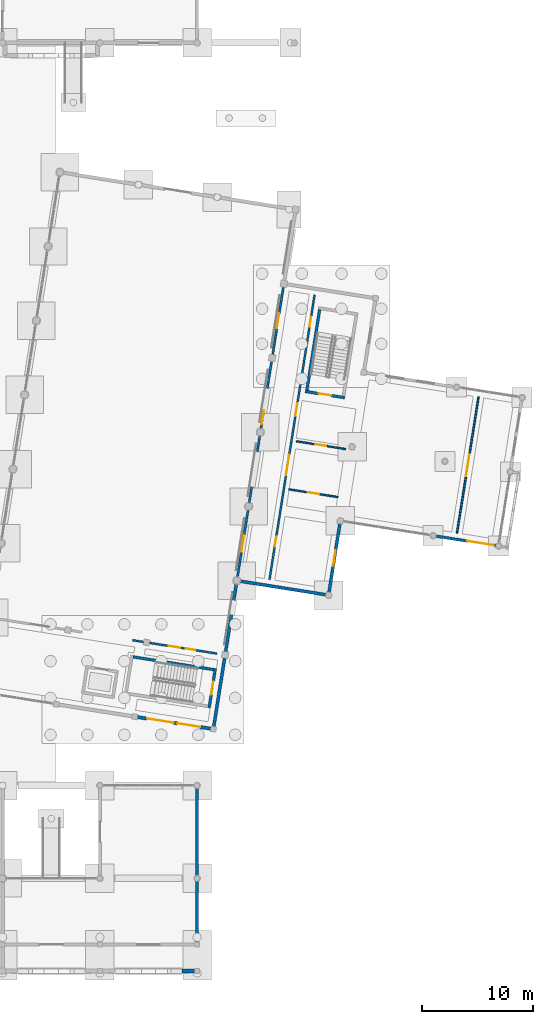
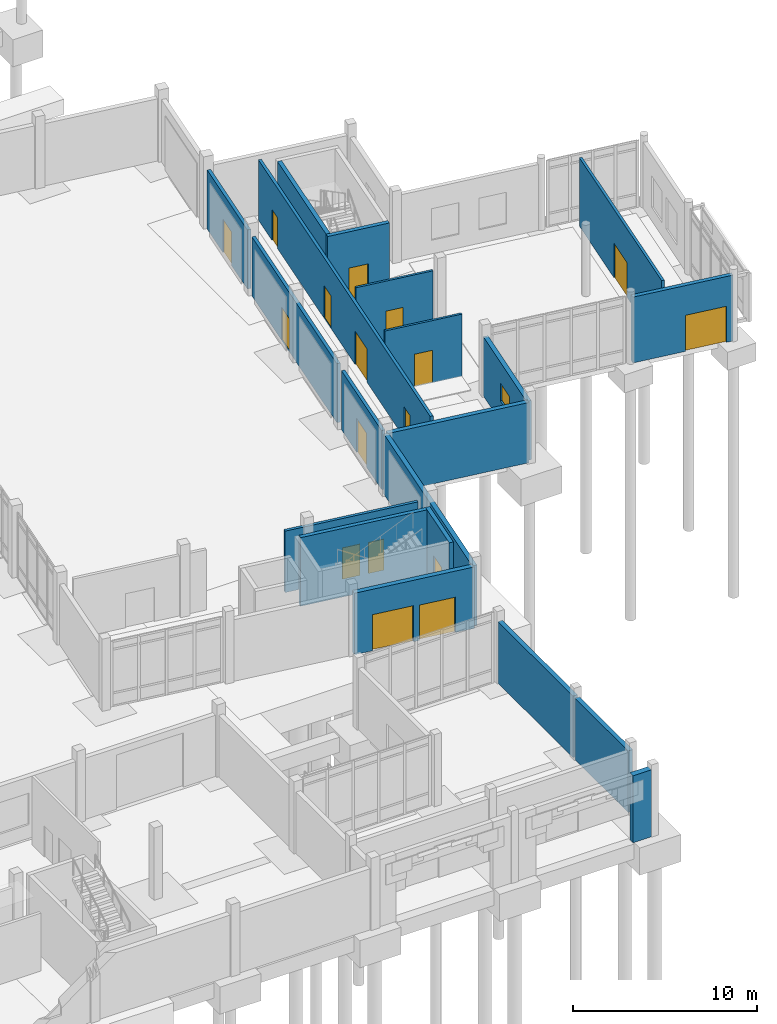
# One storey, part 50 of 72: 20 walls, 17 doors, 1 window, 18 openings.
"""IFC4 building model written with IfcOpenShell, lengths in metres."""

from ifc_helpers import new_model, si_unit, direction, frame, frame_2d, origin, place, context, subcontext, project, spatial, rectangle, extrude, material, layer, layer_set, type_object, element, fill, save


model = new_model("IFC4")

# Units and contexts
model_context = context("Model", 3, precision=1e-05, world=origin(), true_north=direction((0.0, 1.0)))
body_context = subcontext(model_context, "Body", "Model", "MODEL_VIEW")
ifc_project = project(units=[si_unit("LENGTHUNIT", "METRE"), si_unit("AREAUNIT", "SQUARE_METRE"), si_unit("VOLUMEUNIT", "CUBIC_METRE"), si_unit("PLANEANGLEUNIT", "RADIAN"), si_unit("MASSUNIT", "GRAM", prefix="KILO")], contexts=[model_context])

# Site, building, storey
site_placement = place(None, origin())
site = spatial("IfcSite", under=ifc_project, at=site_placement, CompositionType="ELEMENT")
building_placement = place(site_placement, origin())
building = spatial("IfcBuilding", under=site, at=building_placement, Name="Cinderway Yard Community Centre", CompositionType="ELEMENT")
storey_placement = place(building_placement, origin())
storey = spatial("IfcBuildingStorey", under=building, at=storey_placement, Name="L00", CompositionType="ELEMENT", Elevation=0.0)

# Wall
ifc_material_1 = material(Name="Brick Masonry", Category="masonry")
ifc_layer_1 = layer(ifc_material_1, 0.360107421875, Name="Brick Masonry")
ifc_layer_set_1 = layer_set([ifc_layer_1], Name="Brick Masonry")
wall_type_1 = type_object("IfcWallType", Name="ENV-WAL-ARCH360", PredefinedType="SOLIDWALL", material=ifc_layer_set_1)
wall_1_placement = place(storey_placement, frame((135.449951171875, 6.0, 0.0), z_axis=(0.0, 0.0, 1.0), x_axis=(1.0, 0.0, 0.0)))
element("IfcWall", 1, at=wall_1_placement, inside=storey, type_object=wall_type_1, Name="East Storm Arcade East Niche Pier 3B ENV-WAL-L00-0204", PredefinedType="SOLIDWALL", context=body_context, shape_type="SweptSolid", body=[
    extrude(rectangle(XDim=1.170166015625, YDim=0.360107421875, at=frame_2d((0.5849609375, 0.0))), origin(), (0.0, 0.0, 1.0), 4.449951171875),
])

# Wall, opening, door
ifc_layer_2 = layer(ifc_material_1, 0.25, Name="Brick Masonry")
ifc_layer_set_2 = layer_set([ifc_layer_2], Name="Brick Masonry")
wall_type_2 = type_object("IfcWallType", Name="ENV-WAL-EXT250", PredefinedType="SOLIDWALL", material=ifc_layer_set_2)
wall_2_placement = place(storey_placement, frame((158.23291015625, 45.39697265625, 0.0), z_axis=(0.0, 0.0, 1.0), x_axis=(0.987701196417, -0.156353274977, 0.0)))
wall_2 = element("IfcWall", 2, at=wall_2_placement, inside=storey, type_object=wall_type_2, Name="East Entrance Brick Wall ENV-WAL-L00-0089", PredefinedType="SOLIDWALL", context=body_context, shape_type="SweptSolid", body=[
    extrude(rectangle(XDim=5.83984375, YDim=0.25, at=frame_2d((2.919921875, 0.0))), origin(), (0.0, 0.0, 1.0), 4.375),
])
opening_1_placement = place(wall_2_placement, frame((3.070068359375, 0.0, 0.0)))
opening_1 = element("IfcOpeningElement", 3, at=opening_1_placement, cuts=wall_2, Name="Opening D-EX1", PredefinedType="OPENING", context=body_context, shape_type="SweptSolid", body=[
    extrude(rectangle(XDim=2.39990234375, YDim=2.39990234375, at=frame_2d((1.199951171875, 1.199951171875))), frame((0.0, 0.135009765625, 0.0), z_axis=(0.0, -1.0, 0.0), x_axis=(1.0, 0.0, 0.0)), (0.0, 0.0, 1.0), 0.27001953125),
])
ifc_material_2 = material(Name="Aluminium 6063-T6", Category="aluminium")
door_type_1 = type_object("IfcDoorType", Name="INT-DOR-EXT240", OperationType="DOUBLE_DOOR_SINGLE_SWING", PredefinedType="DOOR", material=ifc_material_2)
door_1_placement = place(opening_1_placement, origin())
door_1 = element("IfcDoor", 4, at=door_1_placement, inside=storey, type_object=door_type_1, Name="Athletics East Entrance EXT-DOR-L00-0071", OperationType="DOUBLE_DOOR_SINGLE_SWING", OverallHeight=2.39990234375, OverallWidth=2.39990234375, PredefinedType="DOOR", context=body_context, shape_type="SweptSolid", body=[
    extrude(rectangle(XDim=2.39990234375, YDim=2.39990234375, at=frame_2d((1.199951171875, 1.199951171875))), frame((0.0, 0.02490234375, 0.0), z_axis=(0.0, -1.0, 0.0), x_axis=(1.0, 0.0, 0.0)), (0.0, 0.0, 1.0), 0.050048828125),
])
fill(opening_1, door_1)

# Wall, opening, window
ifc_material_3 = material(Name="Concrete C35/45", Category="concrete")
ifc_layer_3 = layer(ifc_material_3, 0.280029296875, Name="Concrete C35/45")
ifc_layer_set_3 = layer_set([ifc_layer_3], Name="Concrete C35/45")
wall_type_3 = type_object("IfcWallType", Name="ENV-WAL-EXT280", PredefinedType="SOLIDWALL", material=ifc_layer_set_3)
wall_3_placement = place(storey_placement, frame((148.7099609375, 40.1220703125, 0.0), z_axis=(0.0, 0.0, 1.0), x_axis=(0.156500089252, 0.987677944506, 0.0)))
wall_3 = element("IfcWall", 5, at=wall_3_placement, inside=storey, type_object=wall_type_3, Name="Athletics East Brick Wall ENV-WAL-L00-0058", PredefinedType="SOLIDWALL", context=body_context, shape_type="SweptSolid", body=[
    extrude(rectangle(XDim=6.600341796875, YDim=0.280029296875, at=frame_2d((3.30029296875, 0.0))), origin(), (0.0, 0.0, 1.0), 3.927978515625),
])
opening_2_placement = place(wall_3_placement, frame((2.60009765625, 0.0, 1.35009765625)))
opening_2 = element("IfcOpeningElement", 6, at=opening_2_placement, cuts=wall_3, Name="Opening W-20", PredefinedType="OPENING", context=body_context, shape_type="SweptSolid", body=[
    extrude(rectangle(XDim=1.39990234375, YDim=1.199951171875, at=frame_2d((0.699951171875, 0.60009765625))), frame((0.0, 0.14990234375, 0.0), z_axis=(0.0, -1.0, 0.0), x_axis=(1.0, 0.0, 0.0)), (0.0, 0.0, 1.0), 0.300048828125),
])
ifc_material_4 = material(Name="Laminated Low-E Glass", Category="glass")
window_type = type_object("IfcWindowType", Name="ENV-WIN-W20", PartitioningType="DOUBLE_PANEL_VERTICAL", PredefinedType="WINDOW", material=ifc_material_4)
window_placement = place(opening_2_placement, origin())
window = element("IfcWindow", 7, at=window_placement, inside=storey, type_object=window_type, Name="Exterior window ENV-WIN-L00-0041", OverallHeight=1.199951171875, OverallWidth=1.39990234375, PartitioningType="SINGLE_PANEL", PredefinedType="WINDOW", context=body_context, shape_type="SweptSolid", body=[
    extrude(rectangle(XDim=1.39990234375, YDim=1.199951171875, at=frame_2d((0.699951171875, 0.60009765625))), frame((0.0, 0.030029296875, 0.0), z_axis=(0.0, -1.0, 0.0), x_axis=(1.0, 0.0, 0.0)), (0.0, 0.0, 1.0), 0.06005859375),
])
fill(opening_2, window)

# Walls
wall_4_placement = place(storey_placement, frame((138.282958984375, 27.98388671875, 0.0), z_axis=(0.0, 0.0, 1.0), x_axis=(0.156407521508, 0.987692607655, 0.0)))
element("IfcWall", 8, at=wall_4_placement, inside=storey, type_object=wall_type_3, Name="Sports Return Wall ENV-WAL-L00-0061", PredefinedType="SOLIDWALL", context=body_context, shape_type="SweptSolid", body=[
    extrude(rectangle(XDim=13.439697265625, YDim=0.280029296875, at=frame_2d((6.7197265625, 0.0))), origin(), (0.0, 0.0, 1.0), 4.006103515625),
])
wall_5_placement = place(storey_placement, frame((140.47705078125, 41.323974609375, 0.0), z_axis=(0.0, 0.0, 1.0), x_axis=(0.98770403257, -0.156335357629, 0.0)))
element("IfcWall", 9, at=wall_5_placement, inside=storey, type_object=wall_type_3, Name="Sports Return Wall ENV-WAL-L00-0062", PredefinedType="SOLIDWALL", context=body_context, shape_type="SweptSolid", body=[
    extrude(rectangle(XDim=8.2392578125, YDim=0.280029296875, at=frame_2d((4.11962890625, 0.0))), origin(), (0.0, 0.0, 1.0), 4.006103515625),
])
wall_6_placement = place(storey_placement, frame((136.800048828125, 8.449951171875, 0.0), z_axis=(0.0, 0.0, 1.0), x_axis=(0.0, 1.0, 0.0)))
element("IfcWall", 10, at=wall_6_placement, inside=storey, type_object=wall_type_3, Name="East Arcade Flank Wall ENV-WAL-L00-0234", PredefinedType="SOLIDWALL", context=body_context, shape_type="SweptSolid", body=[
    extrude(rectangle(XDim=5.800048828125, YDim=0.280029296875, at=frame_2d((2.89990234375, 0.0))), origin(), (0.0, 0.0, 1.0), 4.0849609375),
])
wall_7_placement = place(storey_placement, frame((136.800048828125, 14.449951171875, 0.0), z_axis=(0.0, 0.0, 1.0), x_axis=(0.0, 1.0, 0.0)))
element("IfcWall", 11, at=wall_7_placement, inside=storey, type_object=wall_type_3, Name="East Arcade Flank Wall ENV-WAL-L00-0235", PredefinedType="SOLIDWALL", context=body_context, shape_type="SweptSolid", body=[
    extrude(rectangle(XDim=8.199951171875, YDim=0.280029296875, at=frame_2d((4.10009765625, 0.0))), origin(), (0.0, 0.0, 1.0), 4.0849609375),
])

# Wall, openings, doors
ifc_layer_4 = layer(ifc_material_1, 0.300048828125, Name="Brick Masonry")
ifc_layer_set_4 = layer_set([ifc_layer_4], Name="Brick Masonry")
wall_type_4 = type_object("IfcWallType", Name="ENV-WAL-EXT300", PredefinedType="SOLIDWALL", material=ifc_layer_set_4)
wall_8_placement = place(storey_placement, frame((131.258056640625, 29.014892578125, 0.0), z_axis=(0.0, 0.0, 1.0), x_axis=(0.987690751091, -0.156419245009, 0.0)))
wall_8 = element("IfcWall", 12, at=wall_8_placement, inside=storey, type_object=wall_type_4, Name="Sports South Brick Wall ENV-WAL-L00-0054", PredefinedType="SOLIDWALL", context=body_context, shape_type="SweptSolid", body=[
    extrude(rectangle(XDim=7.000244140625, YDim=0.300048828125, at=frame_2d((3.5, 0.0))), origin(), (0.0, 0.0, 1.0), 4.0849609375),
])
opening_3_placement = place(wall_8_placement, frame((1.050048828125, 0.0, 0.0)))
opening_3 = element("IfcOpeningElement", 13, at=opening_3_placement, cuts=wall_8, Name="Opening D-EX1", PredefinedType="OPENING", context=body_context, shape_type="SweptSolid", body=[
    extrude(rectangle(XDim=2.39990234375, YDim=2.39990234375, at=frame_2d((1.199951171875, 1.199951171875))), frame((0.0, 0.159912109375, 0.0), z_axis=(0.0, -1.0, 0.0), x_axis=(1.0, 0.0, 0.0)), (0.0, 0.0, 1.0), 0.320068359375),
])
opening_4_placement = place(wall_8_placement, frame((3.800048828125, 0.0, 0.0)))
opening_4 = element("IfcOpeningElement", 14, at=opening_4_placement, cuts=wall_8, Name="Opening D-EX2", PredefinedType="OPENING", context=body_context, shape_type="SweptSolid", body=[
    extrude(rectangle(XDim=2.10009765625, YDim=2.35009765625, at=frame_2d((1.050048828125, 1.175048828125))), frame((0.0, 0.159912109375, 0.0), z_axis=(0.0, -1.0, 0.0), x_axis=(1.0, 0.0, 0.0)), (0.0, 0.0, 1.0), 0.320068359375),
])
door_type_2 = type_object("IfcDoorType", Name="INT-DOR-EXT210", OperationType="DOUBLE_DOOR_SINGLE_SWING", PredefinedType="DOOR", material=ifc_material_2)
door_2_placement = place(opening_4_placement, origin())
door_2 = element("IfcDoor", 15, at=door_2_placement, inside=storey, type_object=door_type_2, Name="Sports Core Exit EXT-DOR-L00-0069", OperationType="DOUBLE_DOOR_SINGLE_SWING", OverallHeight=2.35009765625, OverallWidth=2.10009765625, PredefinedType="DOOR", context=body_context, shape_type="SweptSolid", body=[
    extrude(rectangle(XDim=2.10009765625, YDim=2.35009765625, at=frame_2d((1.050048828125, 1.175048828125))), frame((0.0, 0.02490234375, 0.0), z_axis=(0.0, -1.0, 0.0), x_axis=(1.0, 0.0, 0.0)), (0.0, 0.0, 1.0), 0.050048828125),
])
fill(opening_4, door_2)
door_3_placement = place(opening_3_placement, origin())
door_3 = element("IfcDoor", 16, at=door_3_placement, inside=storey, type_object=door_type_1, Name="Sports South Lobby Exit EXT-DOR-L00-0068", OperationType="DOUBLE_DOOR_SINGLE_SWING", OverallHeight=2.39990234375, OverallWidth=2.39990234375, PredefinedType="DOOR", context=body_context, shape_type="SweptSolid", body=[
    extrude(rectangle(XDim=2.39990234375, YDim=2.39990234375, at=frame_2d((1.199951171875, 1.199951171875))), frame((0.0, 0.02490234375, 0.0), z_axis=(0.0, -1.0, 0.0), x_axis=(1.0, 0.0, 0.0)), (0.0, 0.0, 1.0), 0.050048828125),
])
fill(opening_3, door_3)

# Wall, opening, door
ifc_material_5 = material(Name="Gypsum Board Partition", Category="gypsum")
ifc_layer_5 = layer(ifc_material_5, 0.139892578125, Name="Gypsum Board Partition")
ifc_layer_set_5 = layer_set([ifc_layer_5], Name="Gypsum Board Partition")
wall_type_5 = type_object("IfcWallType", Name="INT-WAL-PRT140", PredefinedType="PARTITIONING", material=ifc_layer_set_5)
wall_9_placement = place(storey_placement, frame((145.09912109375, 49.60302734375, 0.0), z_axis=(0.0, 0.0, 1.0), x_axis=(0.987712756743, -0.156280229613, 0.0)))
wall_9 = element("IfcWall", 17, at=wall_9_placement, inside=storey, type_object=wall_type_5, Name="Athletics Room Divider INT-PRT-L00-0256", PredefinedType="PARTITIONING", context=body_context, shape_type="SweptSolid", body=[
    extrude(rectangle(XDim=4.4990234375, YDim=0.139892578125, at=frame_2d((2.24951171875, 0.0))), origin(), (0.0, 0.0, 1.0), 4.135009765625),
])
opening_5_placement = place(wall_9_placement, frame((1.719970703125, 0.0, 0.0)))
opening_5 = element("IfcOpeningElement", 18, at=opening_5_placement, cuts=wall_9, Name="Opening D-04", PredefinedType="OPENING", context=body_context, shape_type="SweptSolid", body=[
    extrude(rectangle(XDim=1.06005859375, YDim=2.159912109375, at=frame_2d((0.530029296875, 1.080078125))), frame((0.0, 0.079833984375, 0.0), z_axis=(0.0, -1.0, 0.0), x_axis=(1.0, 0.0, 0.0)), (0.0, 0.0, 1.0), 0.159912109375),
])
ifc_material_6 = material(Name="Hardwood Timber", Category="wood")
door_type_3 = type_object("IfcDoorType", Name="INT-DOR-CLS106", OperationType="NOTDEFINED", PredefinedType="DOOR", material=ifc_material_6)
door_4_placement = place(opening_5_placement, origin())
door_4 = element("IfcDoor", 19, at=door_4_placement, inside=storey, type_object=door_type_3, Name="Room door INT-DOR-L00-0116", OperationType="SINGLE_SWING_RIGHT", OverallHeight=2.159912109375, OverallWidth=1.06005859375, PredefinedType="DOOR", context=body_context, shape_type="SweptSolid", body=[
    extrude(rectangle(XDim=1.06005859375, YDim=2.159912109375, at=frame_2d((0.530029296875, 1.080078125))), frame((0.0, 0.02490234375, 0.0), z_axis=(0.0, -1.0, 0.0), x_axis=(1.0, 0.0, 0.0)), (0.0, 0.0, 1.0), 0.050048828125),
])
fill(opening_5, door_4)

wall_10_placement = place(storey_placement, frame((145.787109375, 53.948974609375, 0.0), z_axis=(0.0, 0.0, 1.0), x_axis=(0.98772113158, -0.156227290288, 0.0)))
wall_10 = element("IfcWall", 20, at=wall_10_placement, inside=storey, type_object=wall_type_5, Name="Athletics Room Divider INT-PRT-L00-0257", PredefinedType="PARTITIONING", context=body_context, shape_type="SweptSolid", body=[
    extrude(rectangle(XDim=4.4990234375, YDim=0.139892578125, at=frame_2d((2.24951171875, 0.0))), origin(), (0.0, 0.0, 1.0), 4.135009765625),
])
opening_6_placement = place(wall_10_placement, frame((1.75, 0.0, 0.0)))
opening_6 = element("IfcOpeningElement", 21, at=opening_6_placement, cuts=wall_10, Name="Opening D-05", PredefinedType="OPENING", context=body_context, shape_type="SweptSolid", body=[
    extrude(rectangle(XDim=1.0, YDim=2.139892578125, at=frame_2d((0.5, 1.06982421875))), frame((0.0, 0.079833984375, 0.0), z_axis=(0.0, -1.0, 0.0), x_axis=(1.0, 0.0, 0.0)), (0.0, 0.0, 1.0), 0.159912109375),
])
door_type_4 = type_object("IfcDoorType", Name="INT-DOR-CLS100", OperationType="NOTDEFINED", PredefinedType="DOOR", material=ifc_material_6)
door_5_placement = place(opening_6_placement, origin())
door_5 = element("IfcDoor", 22, at=door_5_placement, inside=storey, type_object=door_type_4, Name="Room door INT-DOR-L00-0117", OperationType="SINGLE_SWING_LEFT", OverallHeight=2.139892578125, OverallWidth=1.0, PredefinedType="DOOR", context=body_context, shape_type="SweptSolid", body=[
    extrude(rectangle(XDim=1.0, YDim=2.139892578125, at=frame_2d((0.5, 1.06982421875))), frame((0.0, 0.02490234375, 0.0), z_axis=(0.0, -1.0, 0.0), x_axis=(1.0, 0.0, 0.0)), (0.0, 0.0, 1.0), 0.050048828125),
])
fill(opening_6, door_5)

ifc_layer_6 = layer(ifc_material_5, 0.159912109375, Name="Gypsum Board Partition")
ifc_layer_set_6 = layer_set([ifc_layer_6], Name="Gypsum Board Partition")
wall_type_6 = type_object("IfcWallType", Name="INT-WAL-PRT160", PredefinedType="PARTITIONING", material=ifc_layer_set_6)
wall_11_placement = place(storey_placement, frame((160.31396484375, 45.625, 0.0), z_axis=(0.0, 0.0, 1.0), x_axis=(0.156420950688, 0.987690480963, 0.0)))
wall_11 = element("IfcWall", 23, at=wall_11_placement, inside=storey, type_object=wall_type_6, Name="Cycle Hub Partition INT-PRT-L00-0254", PredefinedType="PARTITIONING", context=body_context, shape_type="SweptSolid", body=[
    extrude(rectangle(XDim=12.498779296875, YDim=0.159912109375, at=frame_2d((6.24951171875, 0.0))), origin(), (0.0, 0.0, 1.0), 4.544921875),
])
opening_7_placement = place(wall_11_placement, frame((5.2490234375, 0.0, 0.0)))
opening_7 = element("IfcOpeningElement", 24, at=opening_7_placement, cuts=wall_11, Name="Opening D-01", PredefinedType="OPENING", context=body_context, shape_type="SweptSolid", body=[
    extrude(rectangle(XDim=2.0, YDim=2.300048828125, at=frame_2d((1.0, 1.14990234375))), frame((0.0, 0.08984375, 0.0), z_axis=(0.0, -1.0, 0.0), x_axis=(1.0, 0.0, 0.0)), (0.0, 0.0, 1.0), 0.179931640625),
])
door_type_5 = type_object("IfcDoorType", Name="INT-DOR-HAL200", OperationType="DOUBLE_DOOR_SINGLE_SWING", PredefinedType="DOOR", material=ifc_material_6)
door_6_placement = place(opening_7_placement, origin())
door_6 = element("IfcDoor", 25, at=door_6_placement, inside=storey, type_object=door_type_5, Name="Room door INT-DOR-L00-0113", OperationType="DOUBLE_DOOR_SINGLE_SWING", OverallHeight=2.300048828125, OverallWidth=2.0, PredefinedType="DOOR", context=body_context, shape_type="SweptSolid", body=[
    extrude(rectangle(XDim=2.0, YDim=2.300048828125, at=frame_2d((1.0, 1.14990234375))), frame((0.0, 0.02490234375, 0.0), z_axis=(0.0, -1.0, 0.0), x_axis=(1.0, 0.0, 0.0)), (0.0, 0.0, 1.0), 0.050048828125),
])
fill(opening_7, door_6)

# Wall, openings, doors
ifc_layer_7 = layer(ifc_material_1, 0.179931640625, Name="Brick Masonry")
ifc_layer_set_7 = layer_set([ifc_layer_7], Name="Brick Masonry")
wall_type_7 = type_object("IfcWallType", Name="INT-WAL-PRT180", PredefinedType="PARTITIONING", material=ifc_layer_set_7)
wall_12_placement = place(storey_placement, frame((130.93798828125, 35.950927734375, 0.0), z_axis=(0.0, 0.0, 1.0), x_axis=(0.98769877407, -0.156368576447, 0.0)))
wall_12 = element("IfcWall", 26, at=wall_12_placement, inside=storey, type_object=wall_type_7, Name="Sports South Lobby Wall INT-PRT-L00-0253", PredefinedType="PARTITIONING", context=body_context, shape_type="SweptSolid", body=[
    extrude(rectangle(XDim=7.75048828125, YDim=0.179931640625, at=frame_2d((3.875244140625, 0.0))), origin(), (0.0, 0.0, 1.0), 4.0849609375),
])
opening_8_placement = place(wall_12_placement, frame((3.35498046875, 0.0, 0.0)))
opening_8 = element("IfcOpeningElement", 27, at=opening_8_placement, cuts=wall_12, Name="Opening D-17", PredefinedType="OPENING", context=body_context, shape_type="SweptSolid", body=[
    extrude(rectangle(XDim=1.0400390625, YDim=2.080078125, at=frame_2d((0.52001953125, 1.0400390625))), frame((0.0, 0.099853515625, 0.0), z_axis=(0.0, -1.0, 0.0), x_axis=(1.0, 0.0, 0.0)), (0.0, 0.0, 1.0), 0.199951171875),
])
opening_9_placement = place(wall_12_placement, frame((4.881103515625, 0.0, 0.0)))
opening_9 = element("IfcOpeningElement", 28, at=opening_9_placement, cuts=wall_12, Name="Opening D-10", PredefinedType="OPENING", context=body_context, shape_type="SweptSolid", body=[
    extrude(rectangle(XDim=0.89990234375, YDim=2.06005859375, at=frame_2d((0.449951171875, 1.030029296875))), frame((0.0, 0.099853515625, 0.0), z_axis=(0.0, -1.0, 0.0), x_axis=(1.0, 0.0, 0.0)), (0.0, 0.0, 1.0), 0.199951171875),
])
door_type_6 = type_object("IfcDoorType", Name="INT-DOR-NUR104", OperationType="NOTDEFINED", PredefinedType="DOOR", material=ifc_material_6)
door_7_placement = place(opening_8_placement, origin())
door_7 = element("IfcDoor", 29, at=door_7_placement, inside=storey, type_object=door_type_6, Name="Room door INT-DOR-L00-0112", OperationType="SINGLE_SWING_RIGHT", OverallHeight=2.080078125, OverallWidth=1.0400390625, PredefinedType="DOOR", context=body_context, shape_type="SweptSolid", body=[
    extrude(rectangle(XDim=1.0400390625, YDim=2.080078125, at=frame_2d((0.52001953125, 1.0400390625))), frame((0.0, 0.02490234375, 0.0), z_axis=(0.0, -1.0, 0.0), x_axis=(1.0, 0.0, 0.0)), (0.0, 0.0, 1.0), 0.050048828125),
])
fill(opening_8, door_7)
door_type_7 = type_object("IfcDoorType", Name="INT-DOR-SAN090", OperationType="NOTDEFINED", PredefinedType="DOOR", material=ifc_material_6)
door_8_placement = place(opening_9_placement, origin())
door_8 = element("IfcDoor", 30, at=door_8_placement, inside=storey, type_object=door_type_7, Name="Court Equipment Store Door INT-DOR-L00-0289", OperationType="SINGLE_SWING_LEFT", OverallHeight=2.06005859375, OverallWidth=0.89990234375, PredefinedType="DOOR", context=body_context, shape_type="SweptSolid", body=[
    extrude(rectangle(XDim=0.89990234375, YDim=2.06005859375, at=frame_2d((0.449951171875, 1.030029296875))), frame((0.0, 0.02490234375, 0.0), z_axis=(0.0, -1.0, 0.0), x_axis=(1.0, 0.0, 0.0)), (0.0, 0.0, 1.0), 0.050048828125),
])
fill(opening_9, door_8)

wall_13_placement = place(storey_placement, frame((143.347900390625, 41.427001953125, 0.0), z_axis=(0.0, 0.0, 1.0), x_axis=(0.156440506918, 0.987687383637, 0.0)))
wall_13 = element("IfcWall", 31, at=wall_13_placement, inside=storey, type_object=wall_type_7, Name="Athletics Corridor Spine INT-PRT-L00-0255", PredefinedType="PARTITIONING", context=body_context, shape_type="SweptSolid", body=[
    extrude(rectangle(XDim=26.099365234375, YDim=0.179931640625, at=frame_2d((13.0498046875, 0.0))), origin(), (0.0, 0.0, 1.0), 4.006103515625),
])
opening_10_placement = place(wall_13_placement, frame((9.574951171875, 0.0, 0.0)))
opening_10 = element("IfcOpeningElement", 32, at=opening_10_placement, cuts=wall_13, Name="Opening D-02", PredefinedType="OPENING", context=body_context, shape_type="SweptSolid", body=[
    extrude(rectangle(XDim=1.85009765625, YDim=2.219970703125, at=frame_2d((0.925048828125, 1.10986328125))), frame((0.0, 0.099853515625, 0.0), z_axis=(0.0, -1.0, 0.0), x_axis=(1.0, 0.0, 0.0)), (0.0, 0.0, 1.0), 0.199951171875),
])
opening_11_placement = place(wall_13_placement, frame((15.0400390625, 0.0, 0.0)))
opening_11 = element("IfcOpeningElement", 33, at=opening_11_placement, cuts=wall_13, Name="Opening D-03", PredefinedType="OPENING", context=body_context, shape_type="SweptSolid", body=[
    extrude(rectangle(XDim=1.1201171875, YDim=2.159912109375, at=frame_2d((0.56005859375, 1.080078125))), frame((0.0, 0.099853515625, 0.0), z_axis=(0.0, -1.0, 0.0), x_axis=(1.0, 0.0, 0.0)), (0.0, 0.0, 1.0), 0.199951171875),
])
opening_12_placement = place(wall_13_placement, frame((3.0390625, 0.0, 0.0)))
opening_12 = element("IfcOpeningElement", 34, at=opening_12_placement, cuts=wall_13, Name="Opening D-10", PredefinedType="OPENING", context=body_context, shape_type="SweptSolid", body=[
    extrude(rectangle(XDim=0.89990234375, YDim=2.06005859375, at=frame_2d((0.449951171875, 1.030029296875))), frame((0.0, 0.099853515625, 0.0), z_axis=(0.0, -1.0, 0.0), x_axis=(1.0, 0.0, 0.0)), (0.0, 0.0, 1.0), 0.199951171875),
])
opening_13_placement = place(wall_13_placement, frame((23.160888671875, 0.0, 0.0)))
opening_13 = element("IfcOpeningElement", 35, at=opening_13_placement, cuts=wall_13, Name="Opening D-10", PredefinedType="OPENING", context=body_context, shape_type="SweptSolid", body=[
    extrude(rectangle(XDim=0.89990234375, YDim=2.06005859375, at=frame_2d((0.449951171875, 1.030029296875))), frame((0.0, 0.099853515625, 0.0), z_axis=(0.0, -1.0, 0.0), x_axis=(1.0, 0.0, 0.0)), (0.0, 0.0, 1.0), 0.199951171875),
])
door_type_8 = type_object("IfcDoorType", Name="INT-DOR-CLS112", OperationType="NOTDEFINED", PredefinedType="DOOR", material=ifc_material_6)
door_9_placement = place(opening_11_placement, origin())
door_9 = element("IfcDoor", 36, at=door_9_placement, inside=storey, type_object=door_type_8, Name="Room door INT-DOR-L00-0115", OperationType="SINGLE_SWING_LEFT", OverallHeight=2.159912109375, OverallWidth=1.1201171875, PredefinedType="DOOR", context=body_context, shape_type="SweptSolid", body=[
    extrude(rectangle(XDim=1.1201171875, YDim=2.159912109375, at=frame_2d((0.56005859375, 1.080078125))), frame((0.0, 0.02490234375, 0.0), z_axis=(0.0, -1.0, 0.0), x_axis=(1.0, 0.0, 0.0)), (0.0, 0.0, 1.0), 0.050048828125),
])
fill(opening_11, door_9)
door_type_9 = type_object("IfcDoorType", Name="INT-DOR-HAL185", OperationType="DOUBLE_DOOR_SINGLE_SWING", PredefinedType="DOOR", material=ifc_material_6)
door_10_placement = place(opening_10_placement, origin())
door_10 = element("IfcDoor", 37, at=door_10_placement, inside=storey, type_object=door_type_9, Name="Room door INT-DOR-L00-0114", OperationType="DOUBLE_DOOR_SINGLE_SWING", OverallHeight=2.219970703125, OverallWidth=1.85009765625, PredefinedType="DOOR", context=body_context, shape_type="SweptSolid", body=[
    extrude(rectangle(XDim=1.85009765625, YDim=2.219970703125, at=frame_2d((0.925048828125, 1.10986328125))), frame((0.0, 0.02490234375, 0.0), z_axis=(0.0, -1.0, 0.0), x_axis=(1.0, 0.0, 0.0)), (0.0, 0.0, 1.0), 0.050048828125),
])
fill(opening_10, door_10)
door_11_placement = place(opening_12_placement, origin())
door_11 = element("IfcDoor", 38, at=door_11_placement, inside=storey, type_object=door_type_7, Name="Home Team Changing & Showers Door INT-DOR-L00-0290", OperationType="SINGLE_SWING_RIGHT", OverallHeight=2.06005859375, OverallWidth=0.89990234375, PredefinedType="DOOR", context=body_context, shape_type="SweptSolid", body=[
    extrude(rectangle(XDim=0.89990234375, YDim=2.06005859375, at=frame_2d((0.449951171875, 1.030029296875))), frame((0.0, 0.02490234375, 0.0), z_axis=(0.0, -1.0, 0.0), x_axis=(1.0, 0.0, 0.0)), (0.0, 0.0, 1.0), 0.050048828125),
])
fill(opening_12, door_11)
door_12_placement = place(opening_13_placement, origin())
door_12 = element("IfcDoor", 39, at=door_12_placement, inside=storey, type_object=door_type_7, Name="First Aid & Referee Room Door INT-DOR-L00-0291", OperationType="SINGLE_SWING_LEFT", OverallHeight=2.06005859375, OverallWidth=0.89990234375, PredefinedType="DOOR", context=body_context, shape_type="SweptSolid", body=[
    extrude(rectangle(XDim=0.89990234375, YDim=2.06005859375, at=frame_2d((0.449951171875, 1.030029296875))), frame((0.0, 0.02490234375, 0.0), z_axis=(0.0, -1.0, 0.0), x_axis=(1.0, 0.0, 0.0)), (0.0, 0.0, 1.0), 0.050048828125),
])
fill(opening_13, door_12)

# Wall, opening, door
ifc_layer_8 = layer(ifc_material_1, 0.199951171875, Name="Brick Masonry")
ifc_layer_set_8 = layer_set([ifc_layer_8], Name="Brick Masonry")
wall_type_8 = type_object("IfcWallType", Name="INT-WAL-PRT200", PredefinedType="PARTITIONING", material=ifc_layer_set_8)
wall_14_placement = place(storey_placement, frame((140.452880859375, 41.68310546875, 0.0), z_axis=(0.0, 0.0, 1.0), x_axis=(0.156410600741, 0.987692120033, 0.0)))
wall_14 = element("IfcWall", 40, at=wall_14_placement, inside=storey, type_object=wall_type_8, Name="Sports Hall Court Wall INT-PRT-L00-0249", PredefinedType="PARTITIONING", context=body_context, shape_type="SweptSolid", body=[
    extrude(rectangle(XDim=6.10009765625, YDim=0.199951171875, at=frame_2d((3.050048828125, 0.0))), origin(), (0.0, 0.0, 1.0), 3.927978515625),
])
opening_14_placement = place(wall_14_placement, frame((2.300048828125, 0.0, 0.0)))
opening_14 = element("IfcOpeningElement", 41, at=opening_14_placement, cuts=wall_14, Name="Opening D-13", PredefinedType="OPENING", context=body_context, shape_type="SweptSolid", body=[
    extrude(rectangle(XDim=1.5, YDim=2.25, at=frame_2d((0.75, 1.125))), frame((0.0, 0.10986328125, 0.0), z_axis=(0.0, -1.0, 0.0), x_axis=(1.0, 0.0, 0.0)), (0.0, 0.0, 1.0), 0.219970703125),
])
ifc_material_7 = material(Name="Painted Galvanised Steel", Category="steel")
door_type_10 = type_object("IfcDoorType", Name="INT-DOR-PLT150", OperationType="DOUBLE_DOOR_SINGLE_SWING", PredefinedType="DOOR", material=ifc_material_7)
door_13_placement = place(opening_14_placement, origin())
door_13 = element("IfcDoor", 42, at=door_13_placement, inside=storey, type_object=door_type_10, Name="Room door INT-DOR-L00-0108", OperationType="DOUBLE_DOOR_SINGLE_SWING", OverallHeight=2.25, OverallWidth=1.5, PredefinedType="DOOR", context=body_context, shape_type="SweptSolid", body=[
    extrude(rectangle(XDim=1.5, YDim=2.25, at=frame_2d((0.75, 1.125))), frame((0.0, 0.02490234375, 0.0), z_axis=(0.0, -1.0, 0.0), x_axis=(1.0, 0.0, 0.0)), (0.0, 0.0, 1.0), 0.050048828125),
])
fill(opening_14, door_13)

wall_15_placement = place(storey_placement, frame((141.51708984375, 48.39990234375, 0.0), z_axis=(0.0, 0.0, 1.0), x_axis=(0.156361063903, 0.987699963397, 0.0)))
wall_15 = element("IfcWall", 43, at=wall_15_placement, inside=storey, type_object=wall_type_8, Name="Sports Hall Court Wall INT-PRT-L00-0250", PredefinedType="PARTITIONING", context=body_context, shape_type="SweptSolid", body=[
    extrude(rectangle(XDim=12.898681640625, YDim=0.199951171875, at=frame_2d((6.44921875, 0.0))), origin(), (0.0, 0.0, 1.0), 3.927978515625),
])
opening_15_placement = place(wall_15_placement, frame((7.178955078125, 0.0, 0.0)))
opening_15 = element("IfcOpeningElement", 44, at=opening_15_placement, cuts=wall_15, Name="Opening D-14", PredefinedType="OPENING", context=body_context, shape_type="SweptSolid", body=[
    extrude(rectangle(XDim=1.239990234375, YDim=2.199951171875, at=frame_2d((0.6201171875, 1.10009765625))), frame((0.0, 0.10986328125, 0.0), z_axis=(0.0, -1.0, 0.0), x_axis=(1.0, 0.0, 0.0)), (0.0, 0.0, 1.0), 0.219970703125),
])
door_type_11 = type_object("IfcDoorType", Name="INT-DOR-STU124", OperationType="NOTDEFINED", PredefinedType="DOOR", material=ifc_material_6)
door_14_placement = place(opening_15_placement, origin())
door_14 = element("IfcDoor", 45, at=door_14_placement, inside=storey, type_object=door_type_11, Name="Room door INT-DOR-L00-0109", OperationType="SINGLE_SWING_LEFT", OverallHeight=2.199951171875, OverallWidth=1.239990234375, PredefinedType="DOOR", context=body_context, shape_type="SweptSolid", body=[
    extrude(rectangle(XDim=1.239990234375, YDim=2.199951171875, at=frame_2d((0.6201171875, 1.10009765625))), frame((0.0, 0.02490234375, 0.0), z_axis=(0.0, -1.0, 0.0), x_axis=(1.0, 0.0, 0.0)), (0.0, 0.0, 1.0), 0.050048828125),
])
fill(opening_15, door_14)

wall_16_placement = place(storey_placement, frame((143.64404296875, 61.83203125, 0.0), z_axis=(0.0, 0.0, 1.0), x_axis=(0.156396286335, 0.987694386752, 0.0)))
wall_16 = element("IfcWall", 46, at=wall_16_placement, inside=storey, type_object=wall_type_8, Name="Sports Hall Court Wall INT-PRT-L00-0251", PredefinedType="PARTITIONING", context=body_context, shape_type="SweptSolid", body=[
    extrude(rectangle(XDim=6.098876953125, YDim=0.199951171875, at=frame_2d((3.04931640625, 0.0))), origin(), (0.0, 0.0, 1.0), 3.927978515625),
])
opening_16_placement = place(wall_16_placement, frame((2.3701171875, 0.0, 0.0)))
opening_16 = element("IfcOpeningElement", 47, at=opening_16_placement, cuts=wall_16, Name="Opening D-15", PredefinedType="OPENING", context=body_context, shape_type="SweptSolid", body=[
    extrude(rectangle(XDim=1.360107421875, YDim=2.219970703125, at=frame_2d((0.68017578125, 1.10986328125))), frame((0.0, 0.10986328125, 0.0), z_axis=(0.0, -1.0, 0.0), x_axis=(1.0, 0.0, 0.0)), (0.0, 0.0, 1.0), 0.219970703125),
])
door_type_12 = type_object("IfcDoorType", Name="INT-DOR-STU136", OperationType="DOUBLE_DOOR_SINGLE_SWING", PredefinedType="DOOR", material=ifc_material_6)
door_15_placement = place(opening_16_placement, origin())
door_15 = element("IfcDoor", 48, at=door_15_placement, inside=storey, type_object=door_type_12, Name="Room door INT-DOR-L00-0110", OperationType="DOUBLE_DOOR_SINGLE_SWING", OverallHeight=2.219970703125, OverallWidth=1.360107421875, PredefinedType="DOOR", context=body_context, shape_type="SweptSolid", body=[
    extrude(rectangle(XDim=1.360107421875, YDim=2.219970703125, at=frame_2d((0.68017578125, 1.10986328125))), frame((0.0, 0.02490234375, 0.0), z_axis=(0.0, -1.0, 0.0), x_axis=(1.0, 0.0, 0.0)), (0.0, 0.0, 1.0), 0.050048828125),
])
fill(opening_16, door_15)

ifc_material_8 = material(Name="Concrete C40/50", Category="concrete")
ifc_layer_9 = layer(ifc_material_8, 0.25, Name="Concrete C40/50")
ifc_layer_set_9 = layer_set([ifc_layer_9], Name="Concrete C40/50")
wall_type_9 = type_object("IfcWallType", Name="INT-WAL-SHR250", PredefinedType="SHEAR", material=ifc_layer_set_9)
wall_17_placement = place(storey_placement, frame((138.450927734375, 33.388916015625, 0.0), z_axis=(0.0, 0.0, 1.0), x_axis=(-0.156518291279, -0.987675060177, 0.0)))
wall_17 = element("IfcWall", 49, at=wall_17_placement, inside=storey, type_object=wall_type_9, Name="Stair ST-07 Entry Wall INT-WAL-L00-0161", PredefinedType="SHEAR", context=body_context, shape_type="SweptSolid", body=[
    extrude(rectangle(XDim=3.609375, YDim=0.25, at=frame_2d((1.8046875, 0.0))), origin(), (0.0, 0.0, 1.0), 4.56005859375),
])
opening_17_placement = place(wall_17_placement, frame((1.205078125, 0.0, 0.0)))
opening_17 = element("IfcOpeningElement", 50, at=opening_17_placement, cuts=wall_17, Name="Opening D-ST1", PredefinedType="OPENING", context=body_context, shape_type="SweptSolid", body=[
    extrude(rectangle(XDim=1.199951171875, YDim=2.14990234375, at=frame_2d((0.60009765625, 1.074951171875))), frame((0.0, 0.135009765625, 0.0), z_axis=(0.0, -1.0, 0.0), x_axis=(1.0, 0.0, 0.0)), (0.0, 0.0, 1.0), 0.27001953125),
])
door_type_13 = type_object("IfcDoorType", Name="INT-DOR-ST120", OperationType="NOTDEFINED", PredefinedType="DOOR", material=ifc_material_7)
door_16_placement = place(opening_17_placement, origin())
door_16 = element("IfcDoor", 51, at=door_16_placement, inside=storey, type_object=door_type_13, Name="Core door INT-DOR-L00-0044", OperationType="SINGLE_SWING_LEFT", OverallHeight=2.14990234375, OverallWidth=1.199951171875, PredefinedType="DOOR", context=body_context, shape_type="SweptSolid", body=[
    extrude(rectangle(XDim=1.199951171875, YDim=2.14990234375, at=frame_2d((0.60009765625, 1.074951171875))), frame((0.0, 0.02490234375, 0.0), z_axis=(0.0, -1.0, 0.0), x_axis=(1.0, 0.0, 0.0)), (0.0, 0.0, 1.0), 0.050048828125),
])
fill(opening_17, door_16)

# Wall
wall_18_placement = place(storey_placement, frame((131.009033203125, 34.44091796875, 0.0), z_axis=(0.0, 0.0, 1.0), x_axis=(0.98768946156, -0.15642738738, 0.0)))
element("IfcWall", 52, at=wall_18_placement, inside=storey, type_object=wall_type_9, Name="Stair ST-07 Side Wall R INT-WAL-L00-0164", PredefinedType="SHEAR", context=body_context, shape_type="SweptSolid", body=[
    extrude(rectangle(XDim=7.39013671875, YDim=0.25, at=frame_2d((3.695068359375, 0.0))), origin(), (0.0, 0.0, 1.0), 4.56005859375),
])

# Wall, opening, door
wall_19_placement = place(storey_placement, frame((150.153076171875, 57.89501953125, 0.0), z_axis=(0.0, 0.0, 1.0), x_axis=(-0.987676717047, 0.156507835599, 0.0)))
wall_19 = element("IfcWall", 53, at=wall_19_placement, inside=storey, type_object=wall_type_9, Name="Stair ST-08 Entry Wall INT-WAL-L00-0185", PredefinedType="SHEAR", context=body_context, shape_type="SweptSolid", body=[
    extrude(rectangle(XDim=3.609619140625, YDim=0.25, at=frame_2d((1.8046875, 0.0))), origin(), (0.0, 0.0, 1.0), 4.56005859375),
])
opening_18_placement = place(wall_19_placement, frame((1.235107421875, 0.0, 0.0)))
opening_18 = element("IfcOpeningElement", 54, at=opening_18_placement, cuts=wall_19, Name="Opening D-ST2", PredefinedType="OPENING", context=body_context, shape_type="SweptSolid", body=[
    extrude(rectangle(XDim=1.139892578125, YDim=2.14990234375, at=frame_2d((0.56982421875, 1.074951171875))), frame((0.0, 0.135009765625, 0.0), z_axis=(0.0, -1.0, 0.0), x_axis=(1.0, 0.0, 0.0)), (0.0, 0.0, 1.0), 0.27001953125),
])
door_type_14 = type_object("IfcDoorType", Name="INT-DOR-ST114", OperationType="NOTDEFINED", PredefinedType="DOOR", material=ifc_material_7)
door_17_placement = place(opening_18_placement, origin())
door_17 = element("IfcDoor", 55, at=door_17_placement, inside=storey, type_object=door_type_14, Name="Core door INT-DOR-L00-0050", OperationType="SINGLE_SWING_RIGHT", OverallHeight=2.14990234375, OverallWidth=1.139892578125, PredefinedType="DOOR", context=body_context, shape_type="SweptSolid", body=[
    extrude(rectangle(XDim=1.139892578125, YDim=2.14990234375, at=frame_2d((0.56982421875, 1.074951171875))), frame((0.0, 0.02490234375, 0.0), z_axis=(0.0, -1.0, 0.0), x_axis=(1.0, 0.0, 0.0)), (0.0, 0.0, 1.0), 0.050048828125),
])
fill(opening_18, door_17)

# Wall
wall_20_placement = place(storey_placement, frame((146.73095703125, 58.56396484375, 0.0), z_axis=(0.0, 0.0, 1.0), x_axis=(0.15642738738, 0.98768946156, 0.0)))
element("IfcWall", 56, at=wall_20_placement, inside=storey, type_object=wall_type_9, Name="Stair ST-08 Side Wall L INT-WAL-L00-0187", PredefinedType="SHEAR", context=body_context, shape_type="SweptSolid", body=[
    extrude(rectangle(XDim=7.39013671875, YDim=0.25, at=frame_2d((3.695068359375, 0.0))), origin(), (0.0, 0.0, 1.0), 4.56005859375),
])

save(model, "model.ifc")
